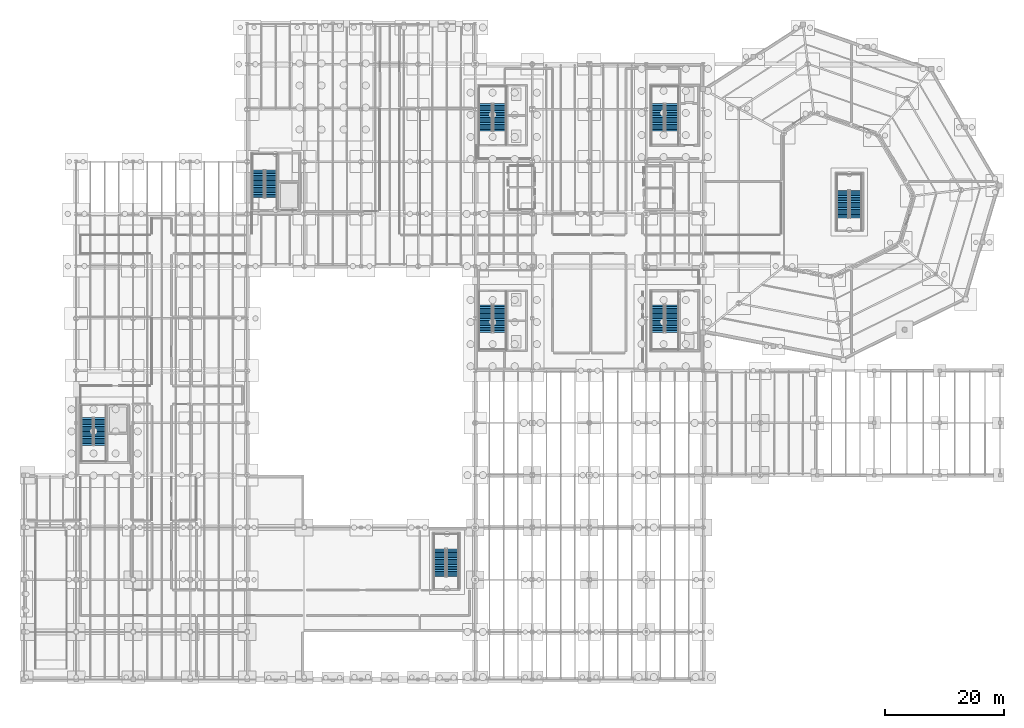
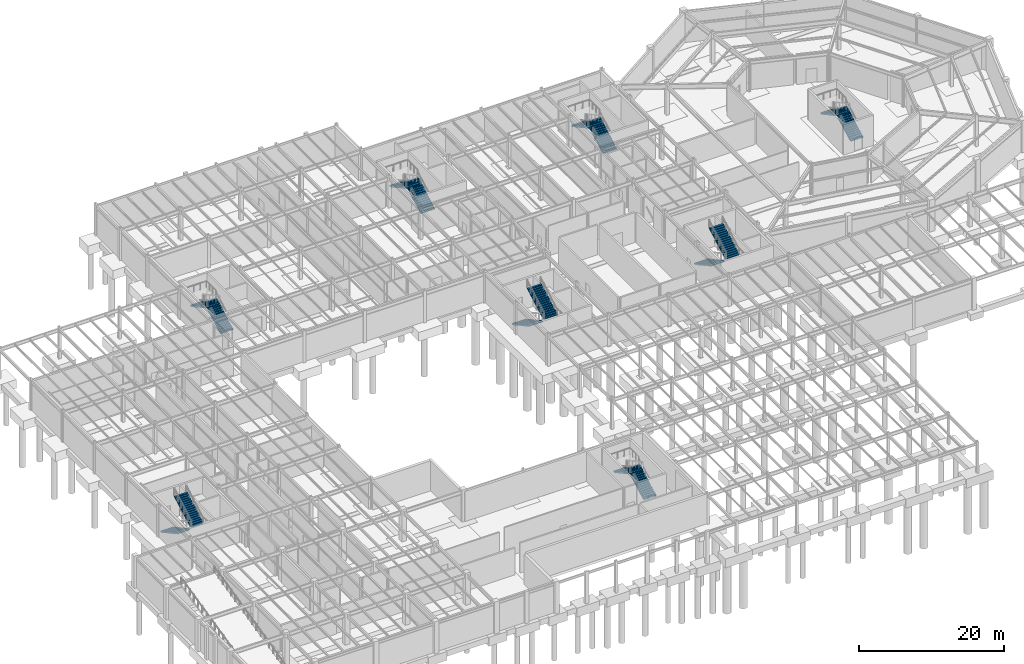
# One storey, part 38 of 48: 16 stair flights, 8 elements without a shape of their own.
"""IFC4 building model written with IfcOpenShell, lengths in metres."""

from ifc_helpers import new_model, si_unit, direction, frame, origin, place, context, subcontext, project, spatial, polyline, outline, extrude, material, type_object, element, aggregate, save


model = new_model("IFC4")

# Units and contexts
model_context = context("Model", 3, precision=1e-05, world=origin(), true_north=direction((0.0, 1.0)))
body_context = subcontext(model_context, "Body", "Model", "MODEL_VIEW")
ifc_project = project(units=[si_unit("LENGTHUNIT", "METRE"), si_unit("AREAUNIT", "SQUARE_METRE"), si_unit("VOLUMEUNIT", "CUBIC_METRE"), si_unit("PLANEANGLEUNIT", "RADIAN"), si_unit("MASSUNIT", "GRAM", prefix="KILO")], contexts=[model_context])

# Site, building, storey
site_placement = place(None, origin())
site = spatial("IfcSite", under=ifc_project, at=site_placement, CompositionType="ELEMENT")
building_placement = place(site_placement, origin())
building = spatial("IfcBuilding", under=site, at=building_placement, Name="Sarnbrook Museum", CompositionType="ELEMENT")
storey_placement = place(building_placement, frame((0.0, 0.0, -5.39990234375)))
storey = spatial("IfcBuildingStorey", under=building, at=storey_placement, Name="B1", CompositionType="ELEMENT", Elevation=-5.39990234375)

# Stair, stair flights
ifc_material = material(Name="Concrete N40 (AS 3600, f'c = 40 MPa)", Category="concrete")
stair_type_1 = type_object("IfcStairType", Name="Stair_ST01", PredefinedType="HALF_TURN_STAIR", material=ifc_material)
stair_1_placement = place(storey_placement, origin())
stair_1 = element("IfcStair", 1, at=stair_1_placement, inside=storey, type_object=stair_type_1, Name="B1 Exit Stair ST1", PredefinedType="HALF_TURN_STAIR")
stair_flight_type_1 = type_object("IfcStairFlightType", Name="StairFlight_SF01", PredefinedType="STRAIGHT", material=ifc_material)
stair_flight_1_placement = place(storey_placement, frame((111.550048828125, 67.8798828125, 0.0), z_axis=(0.0, 0.0, 1.0), x_axis=(0.0, -1.0, 0.0)))
stair_flight_1 = element("IfcStairFlight", 2, at=stair_flight_1_placement, type_object=stair_flight_type_1, Name="ST1 flight 1", NumberOfRisers=17, NumberOfTreads=16, PredefinedType="STRAIGHT", RiserHeight=0.158823529, TreadLength=0.29, context=body_context, shape_type="SweptSolid", body=[
    extrude(outline(polyline([(0.0, 0.0), (0.0, 0.158935546875), (0.2900390625, 0.158935546875), (0.2900390625, 0.317626953125), (0.580078125, 0.317626953125), (0.580078125, 0.4765625), (0.8701171875, 0.4765625), (0.8701171875, 0.63525390625), (1.159912109375, 0.63525390625), (1.159912109375, 0.794189453125), (1.449951171875, 0.794189453125), (1.449951171875, 0.952880859375), (1.739990234375, 0.952880859375), (1.739990234375, 1.11181640625), (2.030029296875, 1.11181640625), (2.030029296875, 1.2705078125), (2.320068359375, 1.2705078125), (2.320068359375, 1.429443359375), (2.610107421875, 1.429443359375), (2.610107421875, 1.588134765625), (2.89990234375, 1.588134765625), (2.89990234375, 1.7470703125), (3.18994140625, 1.7470703125), (3.18994140625, 1.90576171875), (3.47998046875, 1.90576171875), (3.47998046875, 2.064697265625), (3.77001953125, 2.064697265625), (3.77001953125, 2.2236328125), (4.06005859375, 2.2236328125), (4.06005859375, 2.38232421875), (4.35009765625, 2.38232421875), (4.35009765625, 2.541259765625), (4.639892578125, 2.541259765625), (4.639892578125, 2.699951171875), (4.639892578125, 2.370361328125), (0.31201171875, 0.0), (0.0, 0.0)])), frame((0.0, 1.10986328125, 0.0), z_axis=(0.0, -1.0, 0.0), x_axis=(1.0, 0.0, 0.0)), (0.0, 0.0, 1.0), 2.219970703125),
])
stair_flight_2_placement = place(storey_placement, frame((113.949951171875, 63.239990234375, 2.699951171875), z_axis=(0.0, 0.0, 1.0), x_axis=(0.0, 1.0, 0.0)))
stair_flight_2 = element("IfcStairFlight", 3, at=stair_flight_2_placement, type_object=stair_flight_type_1, Name="ST1 flight 2", NumberOfRisers=17, NumberOfTreads=16, PredefinedType="STRAIGHT", RiserHeight=0.158823529, TreadLength=0.29, context=body_context, shape_type="SweptSolid", body=[
    extrude(outline(polyline([(0.0, 0.0), (0.0, 0.158935546875), (0.2900390625, 0.158935546875), (0.2900390625, 0.317626953125), (0.580078125, 0.317626953125), (0.580078125, 0.4765625), (0.8701171875, 0.4765625), (0.8701171875, 0.63525390625), (1.159912109375, 0.63525390625), (1.159912109375, 0.794189453125), (1.449951171875, 0.794189453125), (1.449951171875, 0.952880859375), (1.739990234375, 0.952880859375), (1.739990234375, 1.11181640625), (2.030029296875, 1.11181640625), (2.030029296875, 1.2705078125), (2.320068359375, 1.2705078125), (2.320068359375, 1.429443359375), (2.610107421875, 1.429443359375), (2.610107421875, 1.588134765625), (2.89990234375, 1.588134765625), (2.89990234375, 1.7470703125), (3.18994140625, 1.7470703125), (3.18994140625, 1.90576171875), (3.47998046875, 1.90576171875), (3.47998046875, 2.064697265625), (3.77001953125, 2.064697265625), (3.77001953125, 2.2236328125), (4.06005859375, 2.2236328125), (4.06005859375, 2.38232421875), (4.35009765625, 2.38232421875), (4.35009765625, 2.541259765625), (4.639892578125, 2.541259765625), (4.639892578125, 2.699951171875), (4.639892578125, 2.370361328125), (0.31201171875, 0.0), (0.0, 0.0)])), frame((0.0, 1.10986328125, 0.0), z_axis=(0.0, -1.0, 0.0), x_axis=(1.0, 0.0, 0.0)), (0.0, 0.0, 1.0), 2.219970703125),
])
aggregate(stair_1, [stair_flight_1, stair_flight_2])

stair_2_placement = place(storey_placement, origin())
stair_2 = element("IfcStair", 4, at=stair_2_placement, inside=storey, type_object=stair_type_1, Name="B1 Exit Stair ST2", PredefinedType="HALF_TURN_STAIR")
stair_flight_3_placement = place(storey_placement, frame((113.949951171875, 97.1201171875, 0.0), z_axis=(0.0, 0.0, 1.0), x_axis=(0.0, 1.0, 0.0)))
stair_flight_3 = element("IfcStairFlight", 5, at=stair_flight_3_placement, type_object=stair_flight_type_1, Name="ST2 flight 1", NumberOfRisers=17, NumberOfTreads=16, PredefinedType="STRAIGHT", RiserHeight=0.158823529, TreadLength=0.29, context=body_context, shape_type="SweptSolid", body=[
    extrude(outline(polyline([(0.0, 0.0), (0.0, 0.158935546875), (0.2900390625, 0.158935546875), (0.2900390625, 0.317626953125), (0.580078125, 0.317626953125), (0.580078125, 0.4765625), (0.8701171875, 0.4765625), (0.8701171875, 0.63525390625), (1.159912109375, 0.63525390625), (1.159912109375, 0.794189453125), (1.449951171875, 0.794189453125), (1.449951171875, 0.952880859375), (1.739990234375, 0.952880859375), (1.739990234375, 1.11181640625), (2.030029296875, 1.11181640625), (2.030029296875, 1.2705078125), (2.320068359375, 1.2705078125), (2.320068359375, 1.429443359375), (2.610107421875, 1.429443359375), (2.610107421875, 1.588134765625), (2.89990234375, 1.588134765625), (2.89990234375, 1.7470703125), (3.18994140625, 1.7470703125), (3.18994140625, 1.90576171875), (3.47998046875, 1.90576171875), (3.47998046875, 2.064697265625), (3.77001953125, 2.064697265625), (3.77001953125, 2.2236328125), (4.06005859375, 2.2236328125), (4.06005859375, 2.38232421875), (4.35009765625, 2.38232421875), (4.35009765625, 2.541259765625), (4.639892578125, 2.541259765625), (4.639892578125, 2.699951171875), (4.639892578125, 2.370361328125), (0.31201171875, 0.0), (0.0, 0.0)])), frame((0.0, 1.10986328125, 0.0), z_axis=(0.0, -1.0, 0.0), x_axis=(1.0, 0.0, 0.0)), (0.0, 0.0, 1.0), 2.219970703125),
])
stair_flight_4_placement = place(storey_placement, frame((111.550048828125, 101.760009765625, 2.699951171875), z_axis=(0.0, 0.0, 1.0), x_axis=(0.0, -1.0, 0.0)))
stair_flight_4 = element("IfcStairFlight", 6, at=stair_flight_4_placement, type_object=stair_flight_type_1, Name="ST2 flight 2", NumberOfRisers=17, NumberOfTreads=16, PredefinedType="STRAIGHT", RiserHeight=0.158823529, TreadLength=0.29, context=body_context, shape_type="SweptSolid", body=[
    extrude(outline(polyline([(0.0, 0.0), (0.0, 0.158935546875), (0.2900390625, 0.158935546875), (0.2900390625, 0.317626953125), (0.580078125, 0.317626953125), (0.580078125, 0.4765625), (0.8701171875, 0.4765625), (0.8701171875, 0.63525390625), (1.159912109375, 0.63525390625), (1.159912109375, 0.794189453125), (1.449951171875, 0.794189453125), (1.449951171875, 0.952880859375), (1.739990234375, 0.952880859375), (1.739990234375, 1.11181640625), (2.030029296875, 1.11181640625), (2.030029296875, 1.2705078125), (2.320068359375, 1.2705078125), (2.320068359375, 1.429443359375), (2.610107421875, 1.429443359375), (2.610107421875, 1.588134765625), (2.89990234375, 1.588134765625), (2.89990234375, 1.7470703125), (3.18994140625, 1.7470703125), (3.18994140625, 1.90576171875), (3.47998046875, 1.90576171875), (3.47998046875, 2.064697265625), (3.77001953125, 2.064697265625), (3.77001953125, 2.2236328125), (4.06005859375, 2.2236328125), (4.06005859375, 2.38232421875), (4.35009765625, 2.38232421875), (4.35009765625, 2.541259765625), (4.639892578125, 2.541259765625), (4.639892578125, 2.699951171875), (4.639892578125, 2.370361328125), (0.31201171875, 0.0), (0.0, 0.0)])), frame((0.0, 1.10986328125, 0.0), z_axis=(0.0, -1.0, 0.0), x_axis=(1.0, 0.0, 0.0)), (0.0, 0.0, 1.0), 2.219970703125),
])
aggregate(stair_2, [stair_flight_3, stair_flight_4])

stair_3_placement = place(storey_placement, origin())
stair_3 = element("IfcStair", 7, at=stair_3_placement, inside=storey, type_object=stair_type_1, Name="B1 Exit Stair ST3", PredefinedType="HALF_TURN_STAIR")
stair_flight_5_placement = place(storey_placement, frame((82.550048828125, 67.8798828125, 0.0), z_axis=(0.0, 0.0, 1.0), x_axis=(0.0, -1.0, 0.0)))
stair_flight_5 = element("IfcStairFlight", 8, at=stair_flight_5_placement, type_object=stair_flight_type_1, Name="ST3 flight 1", NumberOfRisers=17, NumberOfTreads=16, PredefinedType="STRAIGHT", RiserHeight=0.158823529, TreadLength=0.29, context=body_context, shape_type="SweptSolid", body=[
    extrude(outline(polyline([(0.0, 0.0), (0.0, 0.158935546875), (0.2900390625, 0.158935546875), (0.2900390625, 0.317626953125), (0.580078125, 0.317626953125), (0.580078125, 0.4765625), (0.8701171875, 0.4765625), (0.8701171875, 0.63525390625), (1.159912109375, 0.63525390625), (1.159912109375, 0.794189453125), (1.449951171875, 0.794189453125), (1.449951171875, 0.952880859375), (1.739990234375, 0.952880859375), (1.739990234375, 1.11181640625), (2.030029296875, 1.11181640625), (2.030029296875, 1.2705078125), (2.320068359375, 1.2705078125), (2.320068359375, 1.429443359375), (2.610107421875, 1.429443359375), (2.610107421875, 1.588134765625), (2.89990234375, 1.588134765625), (2.89990234375, 1.7470703125), (3.18994140625, 1.7470703125), (3.18994140625, 1.90576171875), (3.47998046875, 1.90576171875), (3.47998046875, 2.064697265625), (3.77001953125, 2.064697265625), (3.77001953125, 2.2236328125), (4.06005859375, 2.2236328125), (4.06005859375, 2.38232421875), (4.35009765625, 2.38232421875), (4.35009765625, 2.541259765625), (4.639892578125, 2.541259765625), (4.639892578125, 2.699951171875), (4.639892578125, 2.370361328125), (0.31201171875, 0.0), (0.0, 0.0)])), frame((0.0, 1.10986328125, 0.0), z_axis=(0.0, -1.0, 0.0), x_axis=(1.0, 0.0, 0.0)), (0.0, 0.0, 1.0), 2.219970703125),
])
stair_flight_6_placement = place(storey_placement, frame((84.949951171875, 63.239990234375, 2.699951171875), z_axis=(0.0, 0.0, 1.0), x_axis=(0.0, 1.0, 0.0)))
stair_flight_6 = element("IfcStairFlight", 9, at=stair_flight_6_placement, type_object=stair_flight_type_1, Name="ST3 flight 2", NumberOfRisers=17, NumberOfTreads=16, PredefinedType="STRAIGHT", RiserHeight=0.158823529, TreadLength=0.29, context=body_context, shape_type="SweptSolid", body=[
    extrude(outline(polyline([(0.0, 0.0), (0.0, 0.158935546875), (0.2900390625, 0.158935546875), (0.2900390625, 0.317626953125), (0.580078125, 0.317626953125), (0.580078125, 0.4765625), (0.8701171875, 0.4765625), (0.8701171875, 0.63525390625), (1.159912109375, 0.63525390625), (1.159912109375, 0.794189453125), (1.449951171875, 0.794189453125), (1.449951171875, 0.952880859375), (1.739990234375, 0.952880859375), (1.739990234375, 1.11181640625), (2.030029296875, 1.11181640625), (2.030029296875, 1.2705078125), (2.320068359375, 1.2705078125), (2.320068359375, 1.429443359375), (2.610107421875, 1.429443359375), (2.610107421875, 1.588134765625), (2.89990234375, 1.588134765625), (2.89990234375, 1.7470703125), (3.18994140625, 1.7470703125), (3.18994140625, 1.90576171875), (3.47998046875, 1.90576171875), (3.47998046875, 2.064697265625), (3.77001953125, 2.064697265625), (3.77001953125, 2.2236328125), (4.06005859375, 2.2236328125), (4.06005859375, 2.38232421875), (4.35009765625, 2.38232421875), (4.35009765625, 2.541259765625), (4.639892578125, 2.541259765625), (4.639892578125, 2.699951171875), (4.639892578125, 2.370361328125), (0.31201171875, 0.0), (0.0, 0.0)])), frame((0.0, 1.10986328125, 0.0), z_axis=(0.0, -1.0, 0.0), x_axis=(1.0, 0.0, 0.0)), (0.0, 0.0, 1.0), 2.219970703125),
])
aggregate(stair_3, [stair_flight_5, stair_flight_6])

stair_4_placement = place(storey_placement, origin())
stair_4 = element("IfcStair", 10, at=stair_4_placement, inside=storey, type_object=stair_type_1, Name="B1 Exit Stair ST4", PredefinedType="HALF_TURN_STAIR")
stair_flight_7_placement = place(storey_placement, frame((84.949951171875, 97.1201171875, 0.0), z_axis=(0.0, 0.0, 1.0), x_axis=(0.0, 1.0, 0.0)))
stair_flight_7 = element("IfcStairFlight", 11, at=stair_flight_7_placement, type_object=stair_flight_type_1, Name="ST4 flight 1", NumberOfRisers=17, NumberOfTreads=16, PredefinedType="STRAIGHT", RiserHeight=0.158823529, TreadLength=0.29, context=body_context, shape_type="SweptSolid", body=[
    extrude(outline(polyline([(0.0, 0.0), (0.0, 0.158935546875), (0.2900390625, 0.158935546875), (0.2900390625, 0.317626953125), (0.580078125, 0.317626953125), (0.580078125, 0.4765625), (0.8701171875, 0.4765625), (0.8701171875, 0.63525390625), (1.159912109375, 0.63525390625), (1.159912109375, 0.794189453125), (1.449951171875, 0.794189453125), (1.449951171875, 0.952880859375), (1.739990234375, 0.952880859375), (1.739990234375, 1.11181640625), (2.030029296875, 1.11181640625), (2.030029296875, 1.2705078125), (2.320068359375, 1.2705078125), (2.320068359375, 1.429443359375), (2.610107421875, 1.429443359375), (2.610107421875, 1.588134765625), (2.89990234375, 1.588134765625), (2.89990234375, 1.7470703125), (3.18994140625, 1.7470703125), (3.18994140625, 1.90576171875), (3.47998046875, 1.90576171875), (3.47998046875, 2.064697265625), (3.77001953125, 2.064697265625), (3.77001953125, 2.2236328125), (4.06005859375, 2.2236328125), (4.06005859375, 2.38232421875), (4.35009765625, 2.38232421875), (4.35009765625, 2.541259765625), (4.639892578125, 2.541259765625), (4.639892578125, 2.699951171875), (4.639892578125, 2.370361328125), (0.31201171875, 0.0), (0.0, 0.0)])), frame((0.0, 1.10986328125, 0.0), z_axis=(0.0, -1.0, 0.0), x_axis=(1.0, 0.0, 0.0)), (0.0, 0.0, 1.0), 2.219970703125),
])
stair_flight_8_placement = place(storey_placement, frame((82.550048828125, 101.760009765625, 2.699951171875), z_axis=(0.0, 0.0, 1.0), x_axis=(0.0, -1.0, 0.0)))
stair_flight_8 = element("IfcStairFlight", 12, at=stair_flight_8_placement, type_object=stair_flight_type_1, Name="ST4 flight 2", NumberOfRisers=17, NumberOfTreads=16, PredefinedType="STRAIGHT", RiserHeight=0.158823529, TreadLength=0.29, context=body_context, shape_type="SweptSolid", body=[
    extrude(outline(polyline([(0.0, 0.0), (0.0, 0.158935546875), (0.2900390625, 0.158935546875), (0.2900390625, 0.317626953125), (0.580078125, 0.317626953125), (0.580078125, 0.4765625), (0.8701171875, 0.4765625), (0.8701171875, 0.63525390625), (1.159912109375, 0.63525390625), (1.159912109375, 0.794189453125), (1.449951171875, 0.794189453125), (1.449951171875, 0.952880859375), (1.739990234375, 0.952880859375), (1.739990234375, 1.11181640625), (2.030029296875, 1.11181640625), (2.030029296875, 1.2705078125), (2.320068359375, 1.2705078125), (2.320068359375, 1.429443359375), (2.610107421875, 1.429443359375), (2.610107421875, 1.588134765625), (2.89990234375, 1.588134765625), (2.89990234375, 1.7470703125), (3.18994140625, 1.7470703125), (3.18994140625, 1.90576171875), (3.47998046875, 1.90576171875), (3.47998046875, 2.064697265625), (3.77001953125, 2.064697265625), (3.77001953125, 2.2236328125), (4.06005859375, 2.2236328125), (4.06005859375, 2.38232421875), (4.35009765625, 2.38232421875), (4.35009765625, 2.541259765625), (4.639892578125, 2.541259765625), (4.639892578125, 2.699951171875), (4.639892578125, 2.370361328125), (0.31201171875, 0.0), (0.0, 0.0)])), frame((0.0, 1.10986328125, 0.0), z_axis=(0.0, -1.0, 0.0), x_axis=(1.0, 0.0, 0.0)), (0.0, 0.0, 1.0), 2.219970703125),
])
aggregate(stair_4, [stair_flight_7, stair_flight_8])

stair_type_2 = type_object("IfcStairType", Name="Stair_ST05", PredefinedType="HALF_TURN_STAIR", material=ifc_material)
stair_5_placement = place(storey_placement, origin())
stair_5 = element("IfcStair", 13, at=stair_5_placement, inside=storey, type_object=stair_type_2, Name="B1 Exit Stair ST5", PredefinedType="HALF_TURN_STAIR")
stair_flight_type_2 = type_object("IfcStairFlightType", Name="StairFlight_SF05", PredefinedType="STRAIGHT", material=ifc_material)
stair_flight_9_placement = place(storey_placement, frame((15.449951171875, 48.8798828125, 0.0), z_axis=(0.0, 0.0, 1.0), x_axis=(0.0, -1.0, 0.0)))
stair_flight_9 = element("IfcStairFlight", 14, at=stair_flight_9_placement, type_object=stair_flight_type_2, Name="ST5 flight 1", NumberOfRisers=17, NumberOfTreads=16, PredefinedType="STRAIGHT", RiserHeight=0.158823529, TreadLength=0.29, context=body_context, shape_type="SweptSolid", body=[
    extrude(outline(polyline([(0.0, 0.0), (0.0, 0.158935546875), (0.2900390625, 0.158935546875), (0.2900390625, 0.317626953125), (0.580078125, 0.317626953125), (0.580078125, 0.4765625), (0.8701171875, 0.4765625), (0.8701171875, 0.63525390625), (1.159912109375, 0.63525390625), (1.159912109375, 0.794189453125), (1.449951171875, 0.794189453125), (1.449951171875, 0.952880859375), (1.739990234375, 0.952880859375), (1.739990234375, 1.11181640625), (2.030029296875, 1.11181640625), (2.030029296875, 1.2705078125), (2.320068359375, 1.2705078125), (2.320068359375, 1.429443359375), (2.610107421875, 1.429443359375), (2.610107421875, 1.588134765625), (2.89990234375, 1.588134765625), (2.89990234375, 1.7470703125), (3.18994140625, 1.7470703125), (3.18994140625, 1.90576171875), (3.47998046875, 1.90576171875), (3.47998046875, 2.064697265625), (3.77001953125, 2.064697265625), (3.77001953125, 2.2236328125), (4.06005859375, 2.2236328125), (4.06005859375, 2.38232421875), (4.35009765625, 2.38232421875), (4.35009765625, 2.541259765625), (4.639892578125, 2.541259765625), (4.639892578125, 2.699951171875), (4.639892578125, 2.370361328125), (0.31201171875, 0.0), (0.0, 0.0)])), frame((0.0, 1.010009765625, 0.0), z_axis=(0.0, -1.0, 0.0), x_axis=(1.0, 0.0, 0.0)), (0.0, 0.0, 1.0), 2.02001953125),
])
stair_flight_10_placement = place(storey_placement, frame((17.6298828125, 44.239990234375, 2.699951171875), z_axis=(0.0, 0.0, 1.0), x_axis=(0.0, 1.0, 0.0)))
stair_flight_10 = element("IfcStairFlight", 15, at=stair_flight_10_placement, type_object=stair_flight_type_2, Name="ST5 flight 2", NumberOfRisers=17, NumberOfTreads=16, PredefinedType="STRAIGHT", RiserHeight=0.158823529, TreadLength=0.29, context=body_context, shape_type="SweptSolid", body=[
    extrude(outline(polyline([(0.0, 0.0), (0.0, 0.158935546875), (0.2900390625, 0.158935546875), (0.2900390625, 0.317626953125), (0.580078125, 0.317626953125), (0.580078125, 0.4765625), (0.8701171875, 0.4765625), (0.8701171875, 0.63525390625), (1.159912109375, 0.63525390625), (1.159912109375, 0.794189453125), (1.449951171875, 0.794189453125), (1.449951171875, 0.952880859375), (1.739990234375, 0.952880859375), (1.739990234375, 1.11181640625), (2.030029296875, 1.11181640625), (2.030029296875, 1.2705078125), (2.320068359375, 1.2705078125), (2.320068359375, 1.429443359375), (2.610107421875, 1.429443359375), (2.610107421875, 1.588134765625), (2.89990234375, 1.588134765625), (2.89990234375, 1.7470703125), (3.18994140625, 1.7470703125), (3.18994140625, 1.90576171875), (3.47998046875, 1.90576171875), (3.47998046875, 2.064697265625), (3.77001953125, 2.064697265625), (3.77001953125, 2.2236328125), (4.06005859375, 2.2236328125), (4.06005859375, 2.38232421875), (4.35009765625, 2.38232421875), (4.35009765625, 2.541259765625), (4.639892578125, 2.541259765625), (4.639892578125, 2.699951171875), (4.639892578125, 2.370361328125), (0.31201171875, 0.0), (0.0, 0.0)])), frame((0.0, 1.010009765625, 0.0), z_axis=(0.0, -1.0, 0.0), x_axis=(1.0, 0.0, 0.0)), (0.0, 0.0, 1.0), 2.02001953125),
])
aggregate(stair_5, [stair_flight_9, stair_flight_10])

stair_6_placement = place(storey_placement, origin())
stair_6 = element("IfcStair", 16, at=stair_6_placement, inside=storey, type_object=stair_type_2, Name="B1 Exit Stair ST6", PredefinedType="HALF_TURN_STAIR")
stair_flight_11_placement = place(storey_placement, frame((46.429931640625, 85.919921875, 0.0), z_axis=(0.0, 0.0, 1.0), x_axis=(0.0, 1.0, 0.0)))
stair_flight_11 = element("IfcStairFlight", 17, at=stair_flight_11_placement, type_object=stair_flight_type_2, Name="ST6 flight 1", NumberOfRisers=17, NumberOfTreads=16, PredefinedType="STRAIGHT", RiserHeight=0.158823529, TreadLength=0.29, context=body_context, shape_type="SweptSolid", body=[
    extrude(outline(polyline([(0.0, 0.0), (0.0, 0.158935546875), (0.2900390625, 0.158935546875), (0.2900390625, 0.317626953125), (0.580078125, 0.317626953125), (0.580078125, 0.4765625), (0.8701171875, 0.4765625), (0.8701171875, 0.63525390625), (1.159912109375, 0.63525390625), (1.159912109375, 0.794189453125), (1.449951171875, 0.794189453125), (1.449951171875, 0.952880859375), (1.739990234375, 0.952880859375), (1.739990234375, 1.11181640625), (2.030029296875, 1.11181640625), (2.030029296875, 1.2705078125), (2.320068359375, 1.2705078125), (2.320068359375, 1.429443359375), (2.610107421875, 1.429443359375), (2.610107421875, 1.588134765625), (2.89990234375, 1.588134765625), (2.89990234375, 1.7470703125), (3.18994140625, 1.7470703125), (3.18994140625, 1.90576171875), (3.47998046875, 1.90576171875), (3.47998046875, 2.064697265625), (3.77001953125, 2.064697265625), (3.77001953125, 2.2236328125), (4.06005859375, 2.2236328125), (4.06005859375, 2.38232421875), (4.35009765625, 2.38232421875), (4.35009765625, 2.541259765625), (4.639892578125, 2.541259765625), (4.639892578125, 2.699951171875), (4.639892578125, 2.370361328125), (0.31201171875, 0.0), (0.0, 0.0)])), frame((0.0, 1.010009765625, 0.0), z_axis=(0.0, -1.0, 0.0), x_axis=(1.0, 0.0, 0.0)), (0.0, 0.0, 1.0), 2.02001953125),
])
stair_flight_12_placement = place(storey_placement, frame((44.25, 90.56005859375, 2.699951171875), z_axis=(0.0, 0.0, 1.0), x_axis=(0.0, -1.0, 0.0)))
stair_flight_12 = element("IfcStairFlight", 18, at=stair_flight_12_placement, type_object=stair_flight_type_2, Name="ST6 flight 2", NumberOfRisers=17, NumberOfTreads=16, PredefinedType="STRAIGHT", RiserHeight=0.158823529, TreadLength=0.29, context=body_context, shape_type="SweptSolid", body=[
    extrude(outline(polyline([(0.0, 0.0), (0.0, 0.158935546875), (0.2900390625, 0.158935546875), (0.2900390625, 0.317626953125), (0.580078125, 0.317626953125), (0.580078125, 0.4765625), (0.8701171875, 0.4765625), (0.8701171875, 0.63525390625), (1.159912109375, 0.63525390625), (1.159912109375, 0.794189453125), (1.449951171875, 0.794189453125), (1.449951171875, 0.952880859375), (1.739990234375, 0.952880859375), (1.739990234375, 1.11181640625), (2.030029296875, 1.11181640625), (2.030029296875, 1.2705078125), (2.320068359375, 1.2705078125), (2.320068359375, 1.429443359375), (2.610107421875, 1.429443359375), (2.610107421875, 1.588134765625), (2.89990234375, 1.588134765625), (2.89990234375, 1.7470703125), (3.18994140625, 1.7470703125), (3.18994140625, 1.90576171875), (3.47998046875, 1.90576171875), (3.47998046875, 2.064697265625), (3.77001953125, 2.064697265625), (3.77001953125, 2.2236328125), (4.06005859375, 2.2236328125), (4.06005859375, 2.38232421875), (4.35009765625, 2.38232421875), (4.35009765625, 2.541259765625), (4.639892578125, 2.541259765625), (4.639892578125, 2.699951171875), (4.639892578125, 2.370361328125), (0.31201171875, 0.0), (0.0, 0.0)])), frame((0.0, 1.010009765625, 0.0), z_axis=(0.0, -1.0, 0.0), x_axis=(1.0, 0.0, 0.0)), (0.0, 0.0, 1.0), 2.02001953125),
])
aggregate(stair_6, [stair_flight_11, stair_flight_12])

stair_7_placement = place(storey_placement, origin())
stair_7 = element("IfcStair", 19, at=stair_7_placement, inside=storey, type_object=stair_type_2, Name="B1 Exit Stair ST7", PredefinedType="HALF_TURN_STAIR")
stair_flight_13_placement = place(storey_placement, frame((144.889892578125, 82.52001953125, 0.0), z_axis=(0.0, 0.0, 1.0), x_axis=(0.0, 1.0, 0.0)))
stair_flight_13 = element("IfcStairFlight", 20, at=stair_flight_13_placement, type_object=stair_flight_type_2, Name="ST7 flight 1", NumberOfRisers=17, NumberOfTreads=16, PredefinedType="STRAIGHT", RiserHeight=0.158823529, TreadLength=0.29, context=body_context, shape_type="SweptSolid", body=[
    extrude(outline(polyline([(0.0, 0.0), (0.0, 0.158935546875), (0.2900390625, 0.158935546875), (0.2900390625, 0.317626953125), (0.580078125, 0.317626953125), (0.580078125, 0.4765625), (0.8701171875, 0.4765625), (0.8701171875, 0.63525390625), (1.159912109375, 0.63525390625), (1.159912109375, 0.794189453125), (1.449951171875, 0.794189453125), (1.449951171875, 0.952880859375), (1.739990234375, 0.952880859375), (1.739990234375, 1.11181640625), (2.030029296875, 1.11181640625), (2.030029296875, 1.2705078125), (2.320068359375, 1.2705078125), (2.320068359375, 1.429443359375), (2.610107421875, 1.429443359375), (2.610107421875, 1.588134765625), (2.89990234375, 1.588134765625), (2.89990234375, 1.7470703125), (3.18994140625, 1.7470703125), (3.18994140625, 1.90576171875), (3.47998046875, 1.90576171875), (3.47998046875, 2.064697265625), (3.77001953125, 2.064697265625), (3.77001953125, 2.2236328125), (4.06005859375, 2.2236328125), (4.06005859375, 2.38232421875), (4.35009765625, 2.38232421875), (4.35009765625, 2.541259765625), (4.639892578125, 2.541259765625), (4.639892578125, 2.699951171875), (4.639892578125, 2.370361328125), (0.31201171875, 0.0), (0.0, 0.0)])), frame((0.0, 1.010009765625, 0.0), z_axis=(0.0, -1.0, 0.0), x_axis=(1.0, 0.0, 0.0)), (0.0, 0.0, 1.0), 2.02001953125),
])
stair_flight_14_placement = place(storey_placement, frame((142.7099609375, 87.159912109375, 2.699951171875), z_axis=(0.0, 0.0, 1.0), x_axis=(0.0, -1.0, 0.0)))
stair_flight_14 = element("IfcStairFlight", 21, at=stair_flight_14_placement, type_object=stair_flight_type_2, Name="ST7 flight 2", NumberOfRisers=17, NumberOfTreads=16, PredefinedType="STRAIGHT", RiserHeight=0.158823529, TreadLength=0.29, context=body_context, shape_type="SweptSolid", body=[
    extrude(outline(polyline([(0.0, 0.0), (0.0, 0.158935546875), (0.2900390625, 0.158935546875), (0.2900390625, 0.317626953125), (0.580078125, 0.317626953125), (0.580078125, 0.4765625), (0.8701171875, 0.4765625), (0.8701171875, 0.63525390625), (1.159912109375, 0.63525390625), (1.159912109375, 0.794189453125), (1.449951171875, 0.794189453125), (1.449951171875, 0.952880859375), (1.739990234375, 0.952880859375), (1.739990234375, 1.11181640625), (2.030029296875, 1.11181640625), (2.030029296875, 1.2705078125), (2.320068359375, 1.2705078125), (2.320068359375, 1.429443359375), (2.610107421875, 1.429443359375), (2.610107421875, 1.588134765625), (2.89990234375, 1.588134765625), (2.89990234375, 1.7470703125), (3.18994140625, 1.7470703125), (3.18994140625, 1.90576171875), (3.47998046875, 1.90576171875), (3.47998046875, 2.064697265625), (3.77001953125, 2.064697265625), (3.77001953125, 2.2236328125), (4.06005859375, 2.2236328125), (4.06005859375, 2.38232421875), (4.35009765625, 2.38232421875), (4.35009765625, 2.541259765625), (4.639892578125, 2.541259765625), (4.639892578125, 2.699951171875), (4.639892578125, 2.370361328125), (0.31201171875, 0.0), (0.0, 0.0)])), frame((0.0, 1.010009765625, 0.0), z_axis=(0.0, -1.0, 0.0), x_axis=(1.0, 0.0, 0.0)), (0.0, 0.0, 1.0), 2.02001953125),
])
aggregate(stair_7, [stair_flight_13, stair_flight_14])

stair_8_placement = place(storey_placement, origin())
stair_8 = element("IfcStair", 22, at=stair_8_placement, inside=storey, type_object=stair_type_2, Name="B1 Exit Stair ST8", PredefinedType="HALF_TURN_STAIR")
stair_flight_15_placement = place(storey_placement, frame((77.030029296875, 22.1201171875, 0.0), z_axis=(0.0, 0.0, 1.0), x_axis=(0.0, 1.0, 0.0)))
stair_flight_15 = element("IfcStairFlight", 23, at=stair_flight_15_placement, type_object=stair_flight_type_2, Name="ST8 flight 1", NumberOfRisers=17, NumberOfTreads=16, PredefinedType="STRAIGHT", RiserHeight=0.158823529, TreadLength=0.29, context=body_context, shape_type="SweptSolid", body=[
    extrude(outline(polyline([(0.0, 0.0), (0.0, 0.158935546875), (0.2900390625, 0.158935546875), (0.2900390625, 0.317626953125), (0.580078125, 0.317626953125), (0.580078125, 0.4765625), (0.8701171875, 0.4765625), (0.8701171875, 0.63525390625), (1.159912109375, 0.63525390625), (1.159912109375, 0.794189453125), (1.449951171875, 0.794189453125), (1.449951171875, 0.952880859375), (1.739990234375, 0.952880859375), (1.739990234375, 1.11181640625), (2.030029296875, 1.11181640625), (2.030029296875, 1.2705078125), (2.320068359375, 1.2705078125), (2.320068359375, 1.429443359375), (2.610107421875, 1.429443359375), (2.610107421875, 1.588134765625), (2.89990234375, 1.588134765625), (2.89990234375, 1.7470703125), (3.18994140625, 1.7470703125), (3.18994140625, 1.90576171875), (3.47998046875, 1.90576171875), (3.47998046875, 2.064697265625), (3.77001953125, 2.064697265625), (3.77001953125, 2.2236328125), (4.06005859375, 2.2236328125), (4.06005859375, 2.38232421875), (4.35009765625, 2.38232421875), (4.35009765625, 2.541259765625), (4.639892578125, 2.541259765625), (4.639892578125, 2.699951171875), (4.639892578125, 2.370361328125), (0.31201171875, 0.0), (0.0, 0.0)])), frame((0.0, 1.010009765625, 0.0), z_axis=(0.0, -1.0, 0.0), x_axis=(1.0, 0.0, 0.0)), (0.0, 0.0, 1.0), 2.02001953125),
])
stair_flight_16_placement = place(storey_placement, frame((74.85009765625, 26.760009765625, 2.699951171875), z_axis=(0.0, 0.0, 1.0), x_axis=(0.0, -1.0, 0.0)))
stair_flight_16 = element("IfcStairFlight", 24, at=stair_flight_16_placement, type_object=stair_flight_type_2, Name="ST8 flight 2", NumberOfRisers=17, NumberOfTreads=16, PredefinedType="STRAIGHT", RiserHeight=0.158823529, TreadLength=0.29, context=body_context, shape_type="SweptSolid", body=[
    extrude(outline(polyline([(0.0, 0.0), (0.0, 0.158935546875), (0.2900390625, 0.158935546875), (0.2900390625, 0.317626953125), (0.580078125, 0.317626953125), (0.580078125, 0.4765625), (0.8701171875, 0.4765625), (0.8701171875, 0.63525390625), (1.159912109375, 0.63525390625), (1.159912109375, 0.794189453125), (1.449951171875, 0.794189453125), (1.449951171875, 0.952880859375), (1.739990234375, 0.952880859375), (1.739990234375, 1.11181640625), (2.030029296875, 1.11181640625), (2.030029296875, 1.2705078125), (2.320068359375, 1.2705078125), (2.320068359375, 1.429443359375), (2.610107421875, 1.429443359375), (2.610107421875, 1.588134765625), (2.89990234375, 1.588134765625), (2.89990234375, 1.7470703125), (3.18994140625, 1.7470703125), (3.18994140625, 1.90576171875), (3.47998046875, 1.90576171875), (3.47998046875, 2.064697265625), (3.77001953125, 2.064697265625), (3.77001953125, 2.2236328125), (4.06005859375, 2.2236328125), (4.06005859375, 2.38232421875), (4.35009765625, 2.38232421875), (4.35009765625, 2.541259765625), (4.639892578125, 2.541259765625), (4.639892578125, 2.699951171875), (4.639892578125, 2.370361328125), (0.31201171875, 0.0), (0.0, 0.0)])), frame((0.0, 1.010009765625, 0.0), z_axis=(0.0, -1.0, 0.0), x_axis=(1.0, 0.0, 0.0)), (0.0, 0.0, 1.0), 2.02001953125),
])
aggregate(stair_8, [stair_flight_15, stair_flight_16])

save(model, "model.ifc")
